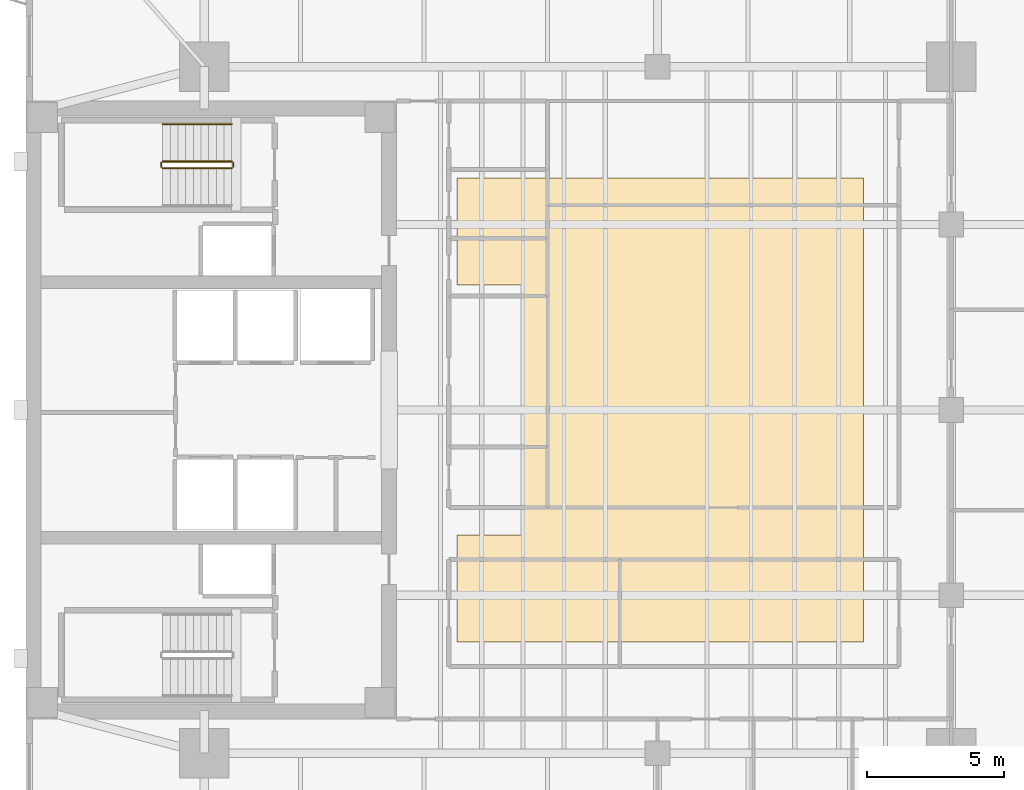
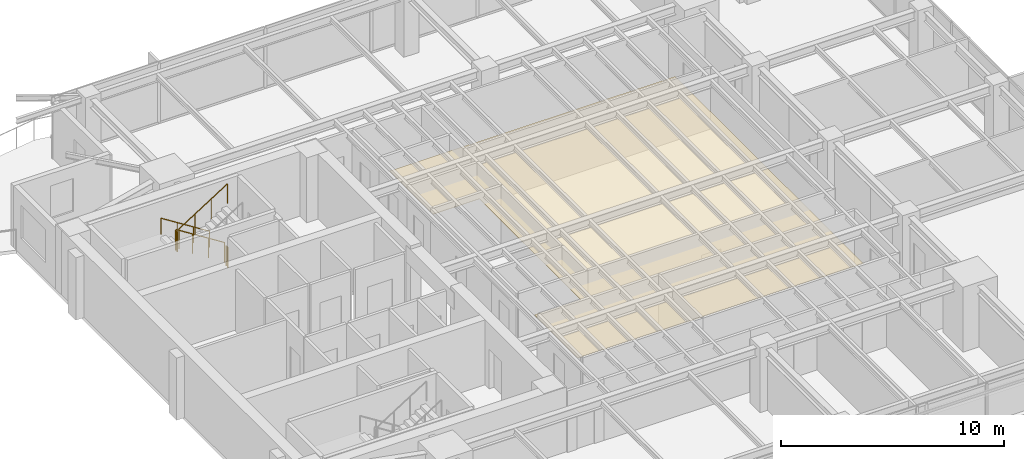
# One storey, part 13 of 14: 5 railings, 1 covering.
"""IFC4 building model written with IfcOpenShell, lengths in metres."""

from ifc_helpers import new_model, si_unit, direction, frame, origin, origin_2d, place, context, subcontext, project, spatial, polyline, circle, outline, extrude, material, layer, layer_set, type_object, element, save


model = new_model("IFC4")

# Units and contexts
model_context = context("Model", 3, precision=1e-05, world=origin(), true_north=direction((0.0, 1.0)))
body_context = subcontext(model_context, "Body", "Model", "MODEL_VIEW")
ifc_project = project(units=[si_unit("LENGTHUNIT", "METRE"), si_unit("AREAUNIT", "SQUARE_METRE"), si_unit("VOLUMEUNIT", "CUBIC_METRE"), si_unit("PLANEANGLEUNIT", "RADIAN"), si_unit("MASSUNIT", "GRAM", prefix="KILO")], contexts=[model_context])

# Site, building, storey
site_placement = place(None, origin())
site = spatial("IfcSite", under=ifc_project, at=site_placement, CompositionType="ELEMENT")
building_placement = place(site_placement, origin())
building = spatial("IfcBuilding", under=site, at=building_placement, Name="Kinhvarn Gate Tower", CompositionType="ELEMENT")
storey_placement = place(building_placement, frame((0.0, 0.0, 223.550048828125)))
storey = spatial("IfcBuildingStorey", under=building, at=storey_placement, Name="L59", CompositionType="ELEMENT", Elevation=223.550048828125)

# Covering
ifc_material_1 = material(Name="Mineral-fibre acoustic ceiling tile")
ifc_layer = layer(ifc_material_1, 0.02001953125)
ifc_layer_set = layer_set([ifc_layer], Name="Mineral-fibre acoustic ceiling tile")
covering_type = type_object("IfcCoveringType", Name="COV-CEIL-20", PredefinedType="CEILING", material=ifc_layer_set)
covering_placement = place(storey_placement, frame((0.0, 0.0, 2.64990234375)))
element("IfcCovering", 1, at=covering_placement, inside=storey, type_object=covering_type, Name="Suspended Acoustic Ceiling Tile (L59-1)", PredefinedType="CEILING", context=body_context, shape_type="SweptSolid", body=[
    extrude(outline(polyline([(35.0, 33.699951171875), (35.0, 16.800048828125), (20.199951171875, 16.800048828125), (20.199951171875, 20.699951171875), (22.60009765625, 20.699951171875), (22.60009765625, 29.800048828125), (20.199951171875, 29.800048828125), (20.199951171875, 33.699951171875), (35.0, 33.699951171875)])), origin(), (0.0, 0.0, 1.0), 0.02001953125),
])

# Railings
ifc_material_2 = material(Name="Steel S355", Category="steel")
railing_type_1 = type_object("IfcRailingType", Name="RL-ST-GRD", PredefinedType="BALUSTRADE", material=ifc_material_2)
railing_1_placement = place(storey_placement, frame((12.0, 34.300048828125, 0.177490234375)))
element("IfcRailing", 2, at=railing_1_placement, inside=storey, type_object=railing_type_1, Name="L59 ST2 stair guard 1", PredefinedType="BALUSTRADE", context=body_context, shape_type="SweptSolid", body=[
    extrude(circle(Radius=0.02392578125, at=origin_2d()), frame((0.0, 0.0, 1.076171875), z_axis=(-0.84460694969, 0.0, 0.535386869969), x_axis=(0.0, -1.0, 0.0)), (0.0, 0.0, 1.0), 2.983642578125),
    extrude(circle(Radius=0.02099609375, at=origin_2d()), origin(), (0.0, 0.0, 1.0), 1.052001953125),
    extrude(circle(Radius=0.02099609375, at=origin_2d()), frame((-0.840087890625, 0.0, 0.532470703125)), (0.0, 0.0, 1.0), 1.052001953125),
    extrude(circle(Radius=0.02099609375, at=origin_2d()), frame((-1.679931640625, 0.0, 1.06494140625)), (0.0, 0.0, 1.0), 1.052001953125),
    extrude(circle(Radius=0.02099609375, at=origin_2d()), frame((-2.52001953125, 0.0, 1.597412109375)), (0.0, 0.0, 1.0), 1.052001953125),
])
railing_2_placement = place(storey_placement, frame((9.429931640625, 34.25, 1.77490234375)))
element("IfcRailing", 3, at=railing_2_placement, inside=storey, type_object=railing_type_1, Name="L59 ST2 stair guard 2", PredefinedType="BALUSTRADE", context=body_context, shape_type="SweptSolid", body=[
    extrude(circle(Radius=0.02392578125, at=origin_2d()), frame((0.0, 0.0, 1.076171875), z_axis=(0.0, -1.0, 0.0), x_axis=(1.0, 0.0, 0.0)), (0.0, 0.0, 1.0), 0.14990234375),
    extrude(circle(Radius=0.02099609375, at=origin_2d()), origin(), (0.0, 0.0, 1.0), 1.052001953125),
    extrude(circle(Radius=0.02099609375, at=origin_2d()), frame((0.0, -0.14990234375, 0.0)), (0.0, 0.0, 1.0), 1.052001953125),
])
railing_3_placement = place(storey_placement, frame((9.47998046875, 34.050048828125, 1.952392578125)))
element("IfcRailing", 4, at=railing_3_placement, inside=storey, type_object=railing_type_1, Name="L59 ST2 stair guard 3", PredefinedType="BALUSTRADE", context=body_context, shape_type="SweptSolid", body=[
    extrude(circle(Radius=0.02392578125, at=origin_2d()), frame((0.0, 0.0, 1.076171875), z_axis=(0.84456994832, 0.0, 0.535445237532), x_axis=(0.0, 1.0, 0.0)), (0.0, 0.0, 1.0), 2.98388671875),
    extrude(circle(Radius=0.02099609375, at=origin_2d()), origin(), (0.0, 0.0, 1.0), 1.052001953125),
    extrude(circle(Radius=0.02099609375, at=origin_2d()), frame((0.840087890625, 0.0, 0.532470703125)), (0.0, 0.0, 1.0), 1.052001953125),
    extrude(circle(Radius=0.02099609375, at=origin_2d()), frame((1.679931640625, 0.0, 1.065185546875)), (0.0, 0.0, 1.0), 1.052001953125),
    extrude(circle(Radius=0.02099609375, at=origin_2d()), frame((2.52001953125, 0.0, 1.59765625)), (0.0, 0.0, 1.0), 1.052001953125),
])
railing_4_placement = place(storey_placement, frame((12.050048828125, 34.25, 0.0)))
element("IfcRailing", 5, at=railing_4_placement, inside=storey, type_object=railing_type_1, Name="L59 ST2 stair guard 4", PredefinedType="BALUSTRADE", context=body_context, shape_type="SweptSolid", body=[
    extrude(circle(Radius=0.02392578125, at=origin_2d()), frame((0.0, 0.0, 1.076171875), z_axis=(0.0, -1.0, 0.0), x_axis=(1.0, 0.0, 0.0)), (0.0, 0.0, 1.0), 0.14990234375),
    extrude(circle(Radius=0.02099609375, at=origin_2d()), origin(), (0.0, 0.0, 1.0), 1.052001953125),
    extrude(circle(Radius=0.02099609375, at=origin_2d()), frame((0.0, -0.14990234375, 0.0)), (0.0, 0.0, 1.0), 1.052001953125),
])
railing_type_2 = type_object("IfcRailingType", Name="RL-ST-HND", PredefinedType="HANDRAIL", material=ifc_material_2)
railing_5_placement = place(storey_placement, frame((12.0, 35.64990234375, 0.177490234375)))
element("IfcRailing", 6, at=railing_5_placement, inside=storey, type_object=railing_type_2, Name="L59 ST2 stair handrail 1", PredefinedType="HANDRAIL", context=body_context, shape_type="SweptSolid", body=[
    extrude(circle(Radius=0.02392578125, at=origin_2d()), frame((0.0, 0.0, 0.8759765625), z_axis=(-0.84460694969, 0.0, 0.535386869969), x_axis=(0.0, -1.0, 0.0)), (0.0, 0.0, 1.0), 2.983642578125),
    extrude(circle(Radius=0.02099609375, at=origin_2d()), origin(), (0.0, 0.0, 1.0), 0.851806640625),
    extrude(circle(Radius=0.02099609375, at=origin_2d()), frame((-0.840087890625, 0.0, 0.532470703125)), (0.0, 0.0, 1.0), 0.851806640625),
    extrude(circle(Radius=0.02099609375, at=origin_2d()), frame((-1.679931640625, 0.0, 1.06494140625)), (0.0, 0.0, 1.0), 0.851806640625),
    extrude(circle(Radius=0.02099609375, at=origin_2d()), frame((-2.52001953125, 0.0, 1.597412109375)), (0.0, 0.0, 1.0), 0.851806640625),
])

save(model, "model.ifc")
